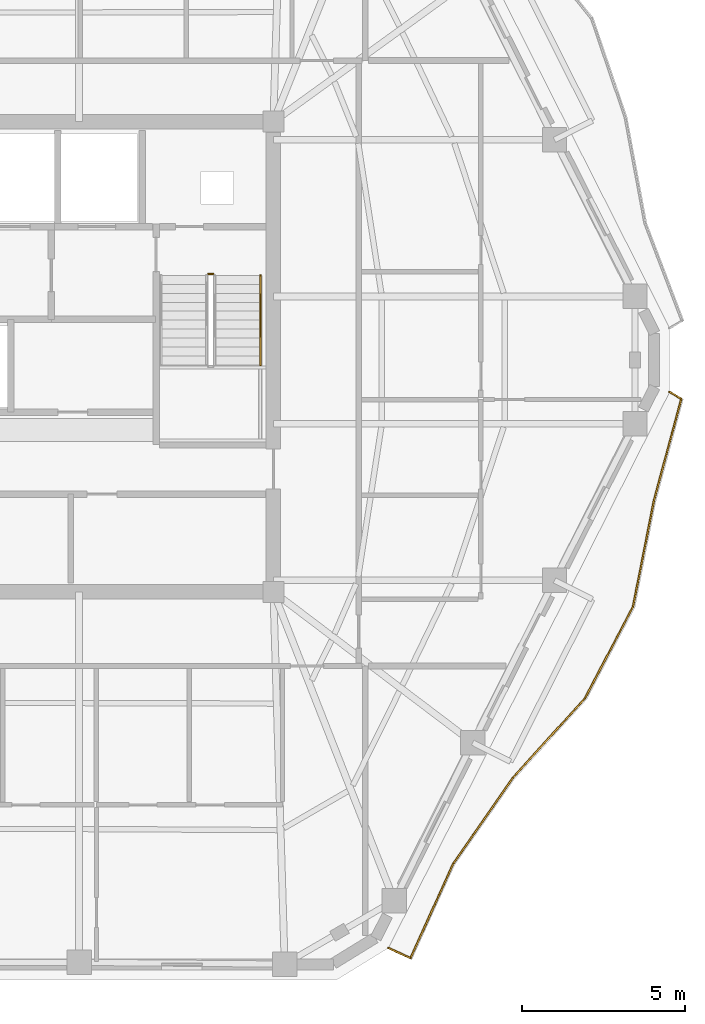
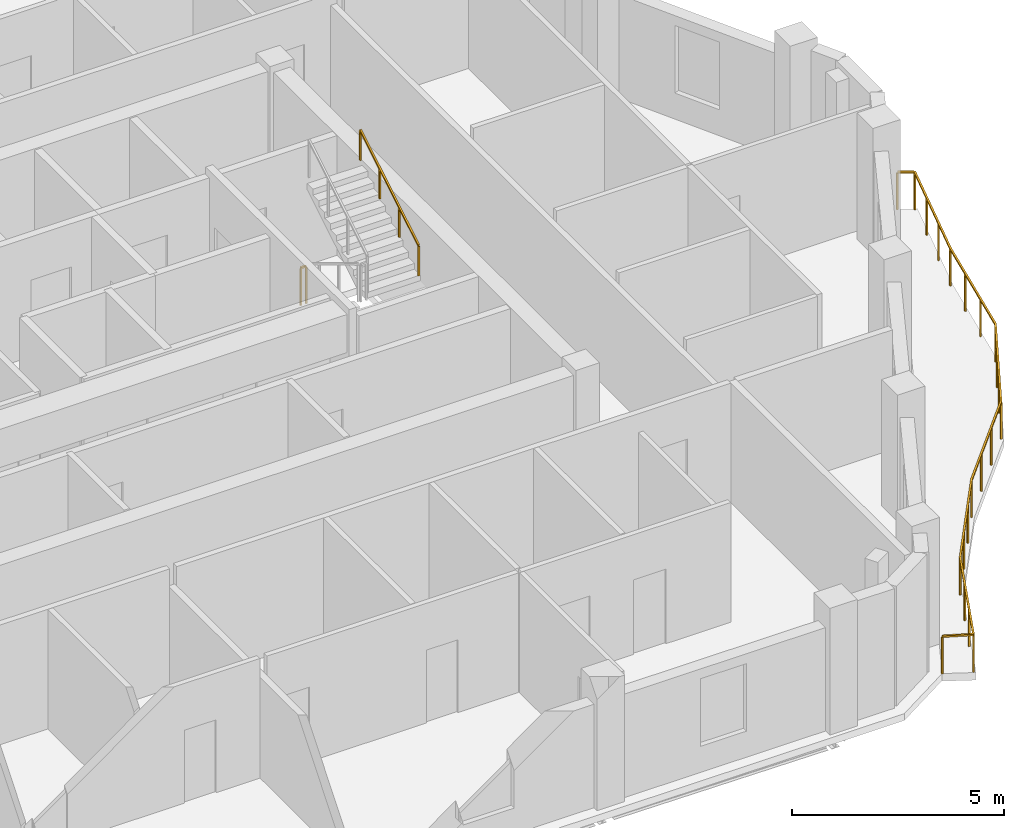
# One storey, part 11 of 12: 3 railings.
"""IFC4 building model written with IfcOpenShell, lengths in metres."""

from ifc_helpers import new_model, si_unit, direction, frame, origin, origin_2d, place, context, subcontext, project, spatial, rectangle, extrude, material, type_object, element, save


model = new_model("IFC4")

# Units and contexts
model_context = context("Model", 3, precision=1e-05, world=origin(), true_north=direction((0.0, 1.0)))
body_context = subcontext(model_context, "Body", "Model", "MODEL_VIEW")
ifc_project = project(units=[si_unit("LENGTHUNIT", "METRE"), si_unit("AREAUNIT", "SQUARE_METRE"), si_unit("VOLUMEUNIT", "CUBIC_METRE"), si_unit("PLANEANGLEUNIT", "RADIAN"), si_unit("MASSUNIT", "GRAM", prefix="KILO")], contexts=[model_context])

# Site, building, storey
site_placement = place(None, origin())
site = spatial("IfcSite", under=ifc_project, at=site_placement, CompositionType="ELEMENT")
building_placement = place(site_placement, origin())
building = spatial("IfcBuilding", under=site, at=building_placement, Name="Cinnabar Lancet Tower", CompositionType="ELEMENT")
storey_placement = place(building_placement, frame((0.0, 0.0, 237.949951171875)))
storey = spatial("IfcBuildingStorey", under=building, at=storey_placement, Name="L63", CompositionType="ELEMENT", Elevation=237.949951171875)

# Railings
ifc_material_1 = material(Name="Laminated safety glass and bronze stainless steel balustrade", Category="steel")
railing_type_1 = type_object("IfcRailingType", Name="ENV-RLG-BAL-1100", PredefinedType="BALUSTRADE", material=ifc_material_1)
railing_1_placement = place(storey_placement, frame((45.160888671875, 7.73193359375, 0.0)))
element("IfcRailing", 1, at=railing_1_placement, inside=storey, type_object=railing_type_1, Name="L63 Face 2 Wave Balcony Balustrade", PredefinedType="BALUSTRADE", context=body_context, shape_type="SweptSolid", body=[
    extrude(rectangle(XDim=0.048095703125, YDim=0.048095703125, at=origin_2d()), frame((0.0, 0.0, 1.076171875), z_axis=(0.911295274815, -0.411753472481, 0.0), x_axis=(0.411753472481, 0.911295274815, 0.0)), (0.0, 0.0, 1.0), 0.745361328125),
    extrude(rectangle(XDim=0.048095703125, YDim=0.048095703125, at=origin_2d()), frame((0.67919921875, -0.306884765625, 1.076171875), z_axis=(0.411861864777, 0.911246291813, 0.0), x_axis=(-0.911246291813, 0.411861864777, 0.0)), (0.0, 0.0, 1.0), 3.185546875),
    extrude(rectangle(XDim=0.048095703125, YDim=0.048095703125, at=origin_2d()), frame((1.9912109375, 2.595947265625, 1.076171875), z_axis=(0.570592335401, 0.821233454495, 0.0), x_axis=(-0.821233454495, 0.570592335401, 0.0)), (0.0, 0.0, 1.0), 3.21240234375),
    extrude(rectangle(XDim=0.048095703125, YDim=0.048095703125, at=origin_2d()), frame((3.82421875, 5.234130859375, 1.076171875), z_axis=(0.67184705178, 0.740689907461, 0.0), x_axis=(-0.740689907461, 0.67184705178, 0.0)), (0.0, 0.0, 1.0), 3.298095703125),
    extrude(rectangle(XDim=0.048095703125, YDim=0.048095703125, at=origin_2d()), frame((6.0400390625, 7.677001953125, 1.076171875), z_axis=(0.464113121889, 0.885775936731, 0.0), x_axis=(-0.885775936731, 0.464113121889, 0.0)), (0.0, 0.0, 1.0), 3.180419921875),
    extrude(rectangle(XDim=0.048095703125, YDim=0.048095703125, at=origin_2d()), frame((7.51611328125, 10.494140625, 1.076171875), z_axis=(0.193414938907, 0.981117047761, 0.0), x_axis=(-0.981117047761, 0.193414938907, 0.0)), (0.0, 0.0, 1.0), 3.30322265625),
    extrude(rectangle(XDim=0.048095703125, YDim=0.048095703125, at=origin_2d()), frame((8.155029296875, 13.735107421875, 1.076171875), z_axis=(0.259378085061, 0.965775858567, 0.0), x_axis=(-0.965775858567, 0.259378085061, 0.0)), (0.0, 0.0, 1.0), 3.250244140625),
    extrude(rectangle(XDim=0.048095703125, YDim=0.048095703125, at=origin_2d()), frame((8.998046875, 16.8740234375, 1.076171875), z_axis=(-0.858996803681, 0.511980948147, 0.0), x_axis=(-0.511980948147, -0.858996803681, 0.0)), (0.0, 0.0, 1.0), 0.414306640625),
    extrude(rectangle(XDim=0.0419921875, YDim=0.0419921875, at=origin_2d()), origin(), (0.0, 0.0, 1.0), 1.052001953125),
    extrude(rectangle(XDim=0.0419921875, YDim=0.0419921875, at=origin_2d()), frame((0.67919921875, -0.306884765625, 0.0)), (0.0, 0.0, 1.0), 1.052001953125),
    extrude(rectangle(XDim=0.0419921875, YDim=0.0419921875, at=origin_2d()), frame((1.116455078125, 0.66064453125, 0.0)), (0.0, 0.0, 1.0), 1.052001953125),
    extrude(rectangle(XDim=0.0419921875, YDim=0.0419921875, at=origin_2d()), frame((1.553955078125, 1.62841796875, 0.0)), (0.0, 0.0, 1.0), 1.052001953125),
    extrude(rectangle(XDim=0.0419921875, YDim=0.0419921875, at=origin_2d()), frame((1.9912109375, 2.595947265625, 0.0)), (0.0, 0.0, 1.0), 1.052001953125),
    extrude(rectangle(XDim=0.0419921875, YDim=0.0419921875, at=origin_2d()), frame((2.602294921875, 3.475341796875, 0.0)), (0.0, 0.0, 1.0), 1.052001953125),
    extrude(rectangle(XDim=0.0419921875, YDim=0.0419921875, at=origin_2d()), frame((3.213134765625, 4.354736328125, 0.0)), (0.0, 0.0, 1.0), 1.052001953125),
    extrude(rectangle(XDim=0.0419921875, YDim=0.0419921875, at=origin_2d()), frame((3.82421875, 5.234130859375, 0.0)), (0.0, 0.0, 1.0), 1.052001953125),
    extrude(rectangle(XDim=0.0419921875, YDim=0.0419921875, at=origin_2d()), frame((4.562744140625, 6.04833984375, 0.0)), (0.0, 0.0, 1.0), 1.052001953125),
    extrude(rectangle(XDim=0.0419921875, YDim=0.0419921875, at=origin_2d()), frame((5.301513671875, 6.86279296875, 0.0)), (0.0, 0.0, 1.0), 1.052001953125),
    extrude(rectangle(XDim=0.0419921875, YDim=0.0419921875, at=origin_2d()), frame((6.0400390625, 7.677001953125, 0.0)), (0.0, 0.0, 1.0), 1.052001953125),
    extrude(rectangle(XDim=0.0419921875, YDim=0.0419921875, at=origin_2d()), frame((6.531982421875, 8.615966796875, 0.0)), (0.0, 0.0, 1.0), 1.052001953125),
    extrude(rectangle(XDim=0.0419921875, YDim=0.0419921875, at=origin_2d()), frame((7.024169921875, 9.55517578125, 0.0)), (0.0, 0.0, 1.0), 1.052001953125),
    extrude(rectangle(XDim=0.0419921875, YDim=0.0419921875, at=origin_2d()), frame((7.51611328125, 10.494140625, 0.0)), (0.0, 0.0, 1.0), 1.052001953125),
    extrude(rectangle(XDim=0.0419921875, YDim=0.0419921875, at=origin_2d()), frame((7.72900390625, 11.574462890625, 0.0)), (0.0, 0.0, 1.0), 1.052001953125),
    extrude(rectangle(XDim=0.0419921875, YDim=0.0419921875, at=origin_2d()), frame((7.942138671875, 12.65478515625, 0.0)), (0.0, 0.0, 1.0), 1.052001953125),
    extrude(rectangle(XDim=0.0419921875, YDim=0.0419921875, at=origin_2d()), frame((8.155029296875, 13.735107421875, 0.0)), (0.0, 0.0, 1.0), 1.052001953125),
    extrude(rectangle(XDim=0.0419921875, YDim=0.0419921875, at=origin_2d()), frame((8.43603515625, 14.781494140625, 0.0)), (0.0, 0.0, 1.0), 1.052001953125),
    extrude(rectangle(XDim=0.0419921875, YDim=0.0419921875, at=origin_2d()), frame((8.717041015625, 15.82763671875, 0.0)), (0.0, 0.0, 1.0), 1.052001953125),
    extrude(rectangle(XDim=0.0419921875, YDim=0.0419921875, at=origin_2d()), frame((8.998046875, 16.8740234375, 0.0)), (0.0, 0.0, 1.0), 1.052001953125),
    extrude(rectangle(XDim=0.0419921875, YDim=0.0419921875, at=origin_2d()), frame((8.64208984375, 17.086181640625, 0.0)), (0.0, 0.0, 1.0), 1.052001953125),
])
ifc_material_2 = material(Name="Painted galvanized steel balustrade", Category="steel")
railing_type_2 = type_object("IfcRailingType", Name="GUARD-STAIR", PredefinedType="GUARDRAIL", material=ifc_material_2)
railing_2_placement = place(storey_placement, frame((39.625, 28.449951171875, 0.0)))
element("IfcRailing", 2, at=railing_2_placement, inside=storey, type_object=railing_type_2, Name="L63 ST-2 stair guard 4", PredefinedType="GUARDRAIL", context=body_context, shape_type="SweptSolid", body=[
    extrude(rectangle(XDim=0.048095703125, YDim=0.048095703125, at=origin_2d()), frame((0.0, 0.0, 1.076171875), z_axis=(1.0, 0.0, 0.0), x_axis=(0.0, 1.0, 0.0)), (0.0, 0.0, 1.0), 0.14990234375),
    extrude(rectangle(XDim=0.0419921875, YDim=0.0419921875, at=origin_2d()), origin(), (0.0, 0.0, 1.0), 1.052001953125),
    extrude(rectangle(XDim=0.0419921875, YDim=0.0419921875, at=origin_2d()), frame((0.14990234375, 0.0, 0.0)), (0.0, 0.0, 1.0), 1.052001953125),
])
ifc_material_3 = material(Name="Brushed stainless steel handrail", Category="steel")
railing_type_3 = type_object("IfcRailingType", Name="HANDRAIL-STAIR", PredefinedType="HANDRAIL", material=ifc_material_3)
railing_3_placement = place(storey_placement, frame((41.22509765625, 25.64990234375, 1.990966796875)))
element("IfcRailing", 3, at=railing_3_placement, inside=storey, type_object=railing_type_3, Name="L63 ST-2 stair handrail 2", PredefinedType="HANDRAIL", context=body_context, shape_type="SweptSolid", body=[
    extrude(rectangle(XDim=0.048095703125, YDim=0.048095703125, at=origin_2d()), frame((0.0, 0.0, 0.8759765625), z_axis=(0.0, 0.856229400918, 0.51659579267), x_axis=(-1.0, 0.0, 0.0)), (0.0, 0.0, 1.0), 3.211669921875),
    extrude(rectangle(XDim=0.0419921875, YDim=0.0419921875, at=origin_2d()), origin(), (0.0, 0.0, 1.0), 0.851806640625),
    extrude(rectangle(XDim=0.0419921875, YDim=0.0419921875, at=origin_2d()), frame((0.0, 0.916748046875, 0.552978515625)), (0.0, 0.0, 1.0), 0.851806640625),
    extrude(rectangle(XDim=0.0419921875, YDim=0.0419921875, at=origin_2d()), frame((0.0, 1.833251953125, 1.106201171875)), (0.0, 0.0, 1.0), 0.851806640625),
    extrude(rectangle(XDim=0.0419921875, YDim=0.0419921875, at=origin_2d()), frame((0.0, 2.75, 1.6591796875)), (0.0, 0.0, 1.0), 0.851806640625),
])

save(model, "model.ifc")
